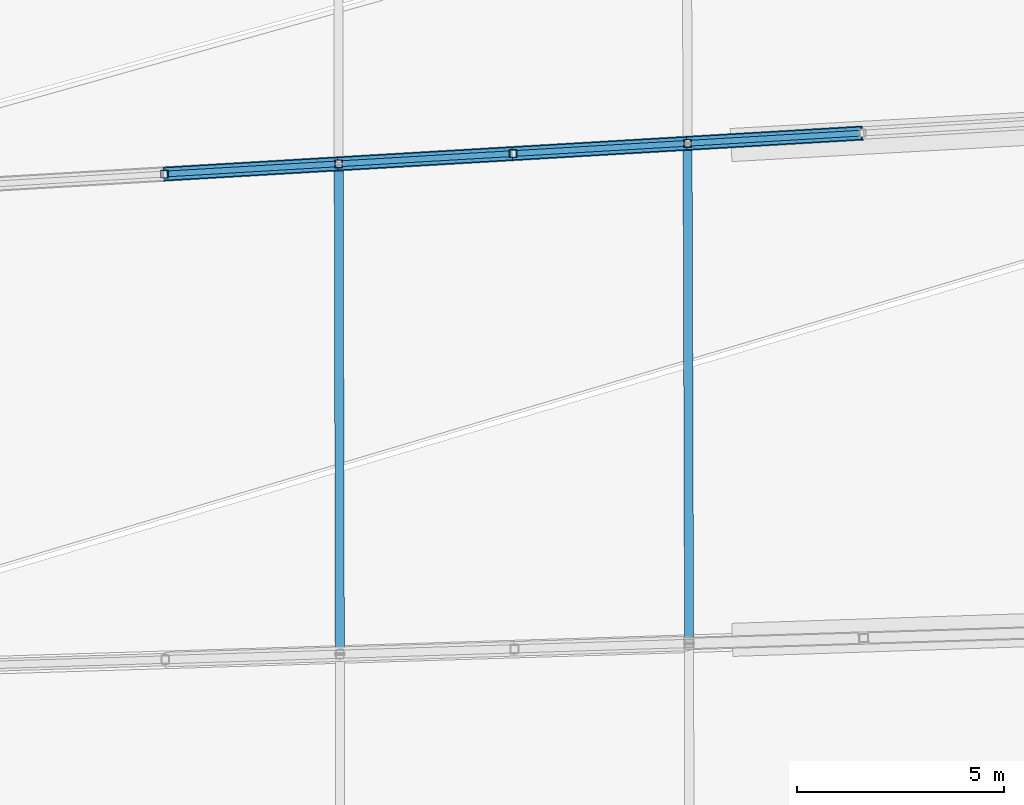
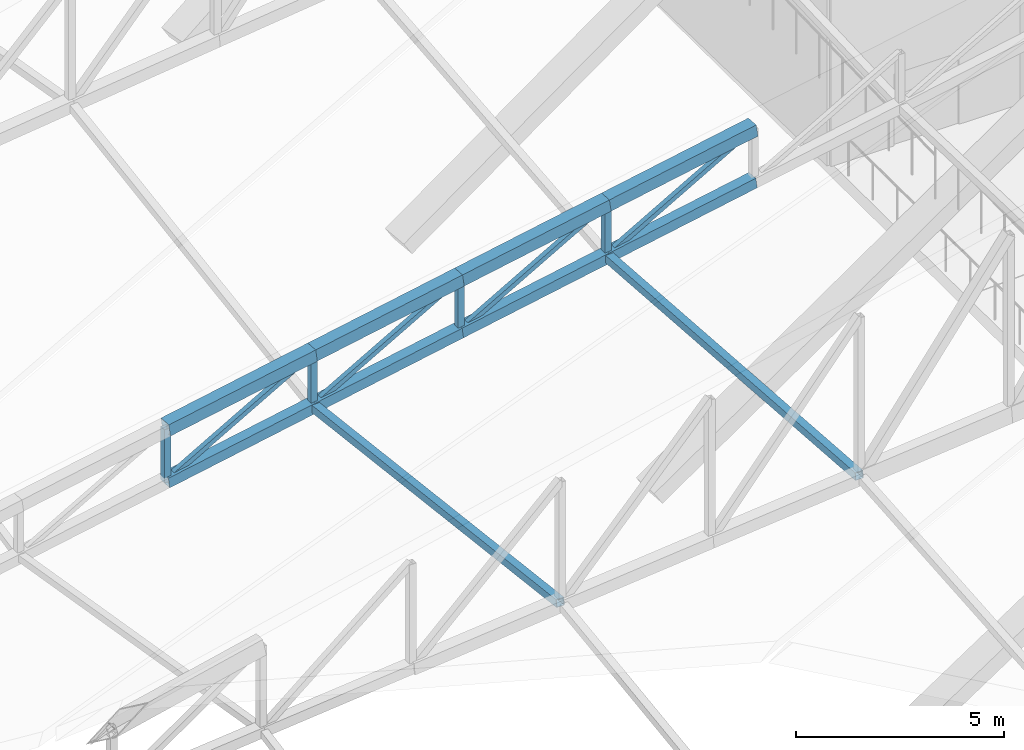
# One storey, part 177 of 344: 18 members.
"""IFC4 building model written with IfcOpenShell, lengths in metres."""

from ifc_helpers import new_model, si_unit, direction, frame, origin, origin_2d, place, context, subcontext, project, spatial, hollow_rectangle, extrude, material, material_profile, profile_set, type_object, element, save


model = new_model("IFC4")

# Units and contexts
model_context = context("Model", 3, precision=1e-05, world=origin(), true_north=direction((0.0, 1.0)))
body_context = subcontext(model_context, "Body", "Model", "MODEL_VIEW")
ifc_project = project(units=[si_unit("LENGTHUNIT", "METRE"), si_unit("AREAUNIT", "SQUARE_METRE"), si_unit("VOLUMEUNIT", "CUBIC_METRE"), si_unit("PLANEANGLEUNIT", "RADIAN"), si_unit("MASSUNIT", "GRAM", prefix="KILO")], contexts=[model_context])

# Site, building, storey
site_placement = place(None, origin())
site = spatial("IfcSite", under=ifc_project, at=site_placement, CompositionType="ELEMENT")
building_placement = place(site_placement, origin())
building = spatial("IfcBuilding", under=site, at=building_placement, Name="Meseta Stadium", CompositionType="ELEMENT")
storey_placement = place(building_placement, frame((0.0, 0.0, 24.0)))
storey = spatial("IfcBuildingStorey", under=building, at=storey_placement, Name="L04", CompositionType="ELEMENT", Elevation=24.0)

# Members
ifc_material_1 = material(Name="Steel S355", Category="steel")
ifc_material_profile_1 = material_profile(ifc_material_1, hollow_rectangle(XDim=0.139892578125, YDim=0.139892578125, WallThickness=0.0048828125, at=origin_2d()), Name="SHS 140x140x5")
ifc_profile_set_1 = profile_set([ifc_material_profile_1], Name="Steel S355")
member_type_1 = type_object("IfcMemberType", Name="SHS 140x140x5 diagonal", PredefinedType="BRACE", material=ifc_profile_set_1)
member_1_placement = place(storey_placement, frame((59.6357421875, 29.1962890625, 3.36279296875), z_axis=(0.891499988097, 0.052362198096, 0.449984412435), x_axis=(-0.05863388944, 0.998279553537, 0.0)))
element("IfcMember", 1, at=member_1_placement, inside=storey, type_object=member_type_1, Name="ROOF TRUSS RT-07 diagonal", PredefinedType="BRACE", context=body_context, shape_type="SweptSolid", body=[
    extrude(hollow_rectangle(XDim=0.139892578125, YDim=0.139892578125, WallThickness=0.0048828125, at=origin_2d()), origin(), (0.0, 0.0, 1.0), 4.727783203125),
])
member_2_placement = place(storey_placement, frame((63.8505859375, 29.44384765625, 3.935791015625), z_axis=(0.891510585173, 0.052359787626, 0.449963697608), x_axis=(-0.058630505001, 0.998279752316, 0.0)))
element("IfcMember", 2, at=member_2_placement, inside=storey, type_object=member_type_1, Name="ROOF TRUSS RT-07 diagonal", PredefinedType="BRACE", context=body_context, shape_type="SweptSolid", body=[
    extrude(hollow_rectangle(XDim=0.139892578125, YDim=0.139892578125, WallThickness=0.0048828125, at=origin_2d()), origin(), (0.0, 0.0, 1.0), 4.72802734375),
])
for number, where, z_axis, x_axis, name in (
    (3, (68.065673828125, 29.69140625, 4.508544921875), (0.891499988097, 0.052362198096, 0.449984412435), (-0.05863388944, 0.998279553537, 0.0), "ROOF TRUSS RT-07 diagonal"),
    (4, (72.280517578125, 29.93896484375, 5.08154296875), (0.891499988097, 0.052362198096, 0.449984412435), (-0.05863388944, 0.998279553537, 0.0), "ROOF TRUSS RT-07 diagonal"),
):
    element("IfcMember", number, at=place(storey_placement, frame(where, z_axis=z_axis, x_axis=x_axis)), inside=storey, type_object=member_type_1, Name=name, PredefinedType="BRACE", context=body_context, shape_type="SweptSolid", body=[
        extrude(hollow_rectangle(XDim=0.139892578125, YDim=0.139892578125, WallThickness=0.0048828125, at=origin_2d()), origin(), (0.0, 0.0, 1.0), 4.727783203125),
    ])
ifc_material_2 = material(Name="Steel S355", Category="steel")
ifc_material_profile_2 = material_profile(ifc_material_2, hollow_rectangle(XDim=0.179931640625, YDim=0.179931640625, WallThickness=0.00634765625, at=origin_2d()), Name="SHS 180x180x6.3")
ifc_profile_set_2 = profile_set([ifc_material_profile_2], Name="Steel S355")
member_type_2 = type_object("IfcMemberType", Name="SHS 180x180x6.3 post", PredefinedType="POST", material=ifc_profile_set_2)
member_3_placement = place(storey_placement, frame((59.6357421875, 29.1962890625, 3.36279296875), z_axis=(0.0, 0.0, 1.0), x_axis=(1.0, 0.0, 0.0)))
element("IfcMember", 5, at=member_3_placement, inside=storey, type_object=member_type_2, Name="ROOF TRUSS RT-07 post", PredefinedType="POST", context=body_context, shape_type="SweptSolid", body=[
    extrude(hollow_rectangle(XDim=0.179931640625, YDim=0.179931640625, WallThickness=0.00634765625, at=origin_2d()), origin(), (0.0, 0.0, 1.0), 1.5546875),
])
member_4_placement = place(storey_placement, frame((63.8505859375, 29.44384765625, 3.935791015625), z_axis=(0.0, 0.0, 1.0), x_axis=(1.0, 0.0, 0.0)))
element("IfcMember", 6, at=member_4_placement, inside=storey, type_object=member_type_2, Name="ROOF TRUSS RT-07 post", PredefinedType="POST", context=body_context, shape_type="SweptSolid", body=[
    extrude(hollow_rectangle(XDim=0.179931640625, YDim=0.179931640625, WallThickness=0.00634765625, at=origin_2d()), origin(), (0.0, 0.0, 1.0), 1.554443359375),
])
member_5_placement = place(storey_placement, frame((68.065673828125, 29.69140625, 4.508544921875), z_axis=(0.0, 0.0, 1.0), x_axis=(1.0, 0.0, 0.0)))
element("IfcMember", 7, at=member_5_placement, inside=storey, type_object=member_type_2, Name="ROOF TRUSS RT-07 post", PredefinedType="POST", context=body_context, shape_type="SweptSolid", body=[
    extrude(hollow_rectangle(XDim=0.179931640625, YDim=0.179931640625, WallThickness=0.00634765625, at=origin_2d()), origin(), (0.0, 0.0, 1.0), 1.5546875),
])
member_6_placement = place(storey_placement, frame((72.280517578125, 29.93896484375, 5.08154296875), z_axis=(0.0, 0.0, 1.0), x_axis=(1.0, 0.0, 0.0)))
element("IfcMember", 8, at=member_6_placement, inside=storey, type_object=member_type_2, Name="ROOF TRUSS RT-07 post", PredefinedType="POST", context=body_context, shape_type="SweptSolid", body=[
    extrude(hollow_rectangle(XDim=0.179931640625, YDim=0.179931640625, WallThickness=0.00634765625, at=origin_2d()), origin(), (0.0, 0.0, 1.0), 1.554443359375),
])
ifc_material_3 = material(Name="Steel S355", Category="steel")
ifc_material_profile_3 = material_profile(ifc_material_3, hollow_rectangle(XDim=0.219970703125, YDim=0.219970703125, WallThickness=0.008056640625, at=origin_2d()), Name="SHS 220x220x8")
ifc_profile_set_3 = profile_set([ifc_material_profile_3], Name="Steel S355")
member_type_3 = type_object("IfcMemberType", Name="SHS 220x220x8 strut", PredefinedType="STRUT", material=ifc_profile_set_3)
member_7_placement = place(storey_placement, frame((63.877685546875, 17.5927734375, 5.32958984375), z_axis=(-0.002271021245, 0.993152371878, -0.11680414674), x_axis=(-0.999997385559, -0.002286673598, 0.0)))
element("IfcMember", 9, at=member_7_placement, inside=storey, type_object=member_type_3, Name="ROOF TRUSS STRUT RT-06/07", PredefinedType="STRUT", context=body_context, shape_type="SweptSolid", body=[
    extrude(hollow_rectangle(XDim=0.219970703125, YDim=0.219970703125, WallThickness=0.008056640625, at=origin_2d()), origin(), (0.0, 0.0, 1.0), 11.932861328125),
])
member_8_placement = place(storey_placement, frame((72.318115234375, 17.85302734375, 5.938232421875), z_axis=(-0.003103058979, 0.997492413641, -0.070705415309), x_axis=(-0.999995161311, -0.003110844676, 0.0)))
element("IfcMember", 10, at=member_8_placement, inside=storey, type_object=member_type_3, Name="ROOF TRUSS STRUT RT-06/07", PredefinedType="STRUT", context=body_context, shape_type="SweptSolid", body=[
    extrude(hollow_rectangle(XDim=0.219970703125, YDim=0.219970703125, WallThickness=0.008056640625, at=origin_2d()), origin(), (0.0, 0.0, 1.0), 12.1162109375),
])
ifc_material_4 = material(Name="Steel S355", Category="steel")
ifc_material_profile_4 = material_profile(ifc_material_4, hollow_rectangle(XDim=0.300048828125, YDim=0.300048828125, WallThickness=0.010009765625, at=origin_2d()), Name="SHS 300x300x10")
ifc_profile_set_4 = profile_set([ifc_material_profile_4], Name="Steel S355")
member_type_4 = type_object("IfcMemberType", Name="SHS 300x300x10 bottom chord", PredefinedType="CHORD", material=ifc_profile_set_4)
member_9_placement = place(storey_placement, frame((59.6357421875, 29.1962890625, 3.36279296875), z_axis=(0.989211361344, 0.058101269718, 0.134480946772), x_axis=(-0.05863388944, 0.998279553537, 0.0)))
element("IfcMember", 11, at=member_9_placement, inside=storey, type_object=member_type_4, Name="ROOF TRUSS RT-07 bottom chord", PredefinedType="CHORD", context=body_context, shape_type="SweptSolid", body=[
    extrude(hollow_rectangle(XDim=0.300048828125, YDim=0.300048828125, WallThickness=0.010009765625, at=origin_2d()), origin(), (0.0, 0.0, 1.0), 4.2607421875),
])
member_10_placement = place(storey_placement, frame((63.8505859375, 29.44384765625, 3.935791015625), z_axis=(0.98922021104, 0.058098424211, 0.134417064298), x_axis=(-0.058630505001, 0.998279752316, 0.0)))
element("IfcMember", 12, at=member_10_placement, inside=storey, type_object=member_type_4, Name="ROOF TRUSS RT-07 bottom chord", PredefinedType="CHORD", context=body_context, shape_type="SweptSolid", body=[
    extrude(hollow_rectangle(XDim=0.300048828125, YDim=0.300048828125, WallThickness=0.010009765625, at=origin_2d()), origin(), (0.0, 0.0, 1.0), 4.260986328125),
])
for number, where, z_axis, x_axis, name in (
    (13, (68.065673828125, 29.69140625, 4.508544921875), (0.989211361344, 0.058101269718, 0.134480946772), (-0.05863388944, 0.998279553537, 0.0), "ROOF TRUSS RT-07 bottom chord"),
    (14, (72.280517578125, 29.93896484375, 5.08154296875), (0.98921898231, 0.058101717334, 0.1344246833), (-0.05863388944, 0.998279553537, 0.0), "ROOF TRUSS RT-07 bottom chord"),
):
    element("IfcMember", number, at=place(storey_placement, frame(where, z_axis=z_axis, x_axis=x_axis)), inside=storey, type_object=member_type_4, Name=name, PredefinedType="CHORD", context=body_context, shape_type="SweptSolid", body=[
        extrude(hollow_rectangle(XDim=0.300048828125, YDim=0.300048828125, WallThickness=0.010009765625, at=origin_2d()), origin(), (0.0, 0.0, 1.0), 4.2607421875),
    ])
ifc_material_5 = material(Name="Steel S355", Category="steel")
ifc_material_profile_5 = material_profile(ifc_material_5, hollow_rectangle(XDim=0.35009765625, YDim=0.35009765625, WallThickness=0.010009765625, at=origin_2d()), Name="SHS 350x350x10")
ifc_profile_set_5 = profile_set([ifc_material_profile_5], Name="Steel S355")
member_type_5 = type_object("IfcMemberType", Name="SHS 350x350x10 top chord", PredefinedType="CHORD", material=ifc_profile_set_5)
member_11_placement = place(storey_placement, frame((59.6357421875, 29.1962890625, 4.91748046875), z_axis=(0.98921898231, 0.058101717334, 0.1344246833), x_axis=(-0.05863388944, 0.998279553537, 0.0)))
element("IfcMember", 15, at=member_11_placement, inside=storey, type_object=member_type_5, Name="ROOF TRUSS RT-07 top chord", PredefinedType="CHORD", context=body_context, shape_type="SweptSolid", body=[
    extrude(hollow_rectangle(XDim=0.35009765625, YDim=0.35009765625, WallThickness=0.010009765625, at=origin_2d()), origin(), (0.0, 0.0, 1.0), 4.2607421875),
])
member_12_placement = place(storey_placement, frame((63.8505859375, 29.44384765625, 5.490234375), z_axis=(0.989212590929, 0.05809797667, 0.134473324698), x_axis=(-0.058630505001, 0.998279752316, 0.0)))
element("IfcMember", 16, at=member_12_placement, inside=storey, type_object=member_type_5, Name="ROOF TRUSS RT-07 top chord", PredefinedType="CHORD", context=body_context, shape_type="SweptSolid", body=[
    extrude(hollow_rectangle(XDim=0.35009765625, YDim=0.35009765625, WallThickness=0.010009765625, at=origin_2d()), origin(), (0.0, 0.0, 1.0), 4.260986328125),
])
for number, where, z_axis, x_axis, name in (
    (17, (68.065673828125, 29.69140625, 6.063232421875), (0.98921898231, 0.058101717334, 0.1344246833), (-0.05863388944, 0.998279553537, 0.0), "ROOF TRUSS RT-07 top chord"),
    (18, (72.280517578125, 29.93896484375, 6.635986328125), (0.989211361344, 0.058101269718, 0.134480946772), (-0.05863388944, 0.998279553537, 0.0), "ROOF TRUSS RT-07 top chord"),
):
    element("IfcMember", number, at=place(storey_placement, frame(where, z_axis=z_axis, x_axis=x_axis)), inside=storey, type_object=member_type_5, Name=name, PredefinedType="CHORD", context=body_context, shape_type="SweptSolid", body=[
        extrude(hollow_rectangle(XDim=0.35009765625, YDim=0.35009765625, WallThickness=0.010009765625, at=origin_2d()), origin(), (0.0, 0.0, 1.0), 4.2607421875),
    ])

save(model, "model.ifc")
